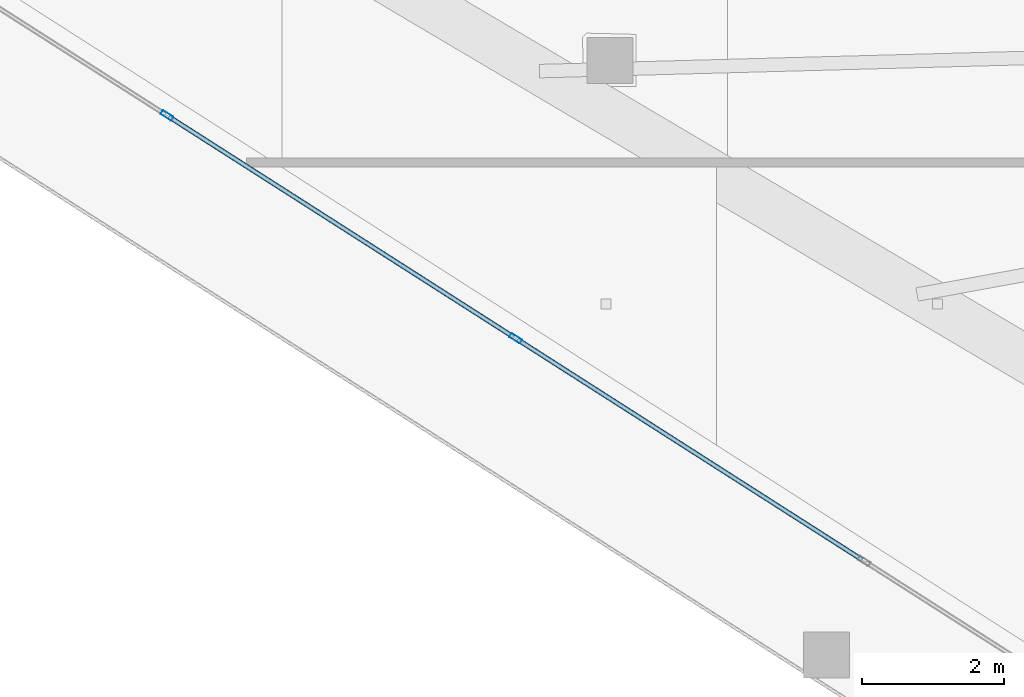
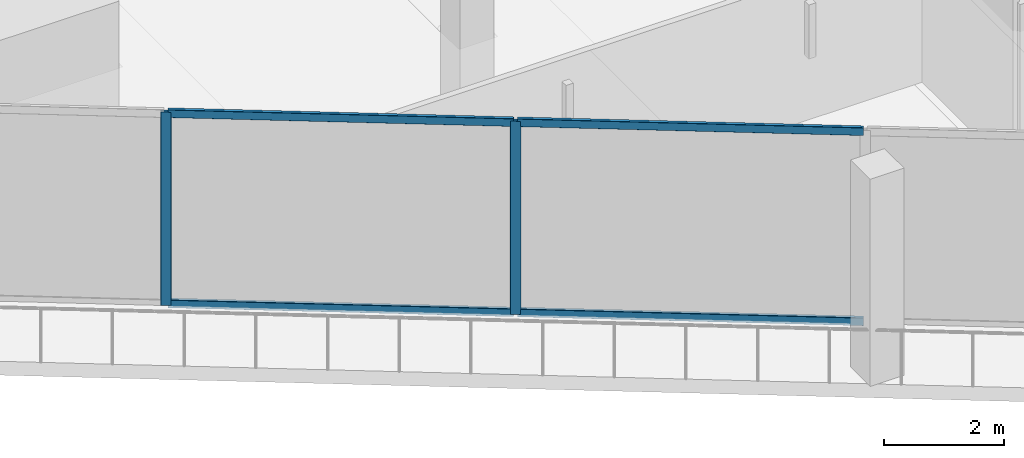
# One storey, part 3 of 45: 6 members, 1 element without a shape of its own.
"""IFC4 building model written with IfcOpenShell, lengths in metres."""

from ifc_helpers import new_model, si_unit, direction, frame, origin, origin_2d, place, context, subcontext, project, spatial, hollow_rectangle, extrude, material, layer, layer_set, material_profile, profile_set, type_object, element, aggregate, save


model = new_model("IFC4")

# Units and contexts
model_context = context("Model", 3, precision=1e-05, world=origin(), true_north=direction((0.0, 1.0)))
body_context = subcontext(model_context, "Body", "Model", "MODEL_VIEW")
ifc_project = project(units=[si_unit("LENGTHUNIT", "METRE"), si_unit("AREAUNIT", "SQUARE_METRE"), si_unit("VOLUMEUNIT", "CUBIC_METRE"), si_unit("PLANEANGLEUNIT", "RADIAN"), si_unit("MASSUNIT", "GRAM", prefix="KILO")], contexts=[model_context])

# Site, building, storey
site_placement = place(None, origin())
site = spatial("IfcSite", under=ifc_project, at=site_placement, CompositionType="ELEMENT")
building_placement = place(site_placement, origin())
building = spatial("IfcBuilding", under=site, at=building_placement, Name="Qorvath Tower", CompositionType="ELEMENT")
storey_placement = place(building_placement, frame((0.0, 0.0, 66.0)))
storey = spatial("IfcBuildingStorey", under=building, at=storey_placement, Name="L14", CompositionType="ELEMENT", Elevation=66.0)

# Curtain wall, members
ifc_material_1 = material(Name="Anodised aluminium and triple low-E glass", Category="aluminium")
ifc_layer = layer(ifc_material_1, 0.179931640625)
ifc_layer_set = layer_set([ifc_layer], Name="CW-SYS-2")
curtain_wall_type = type_object("IfcCurtainWallType", Name="CW-SYS-2", PredefinedType="NOTDEFINED", material=ifc_layer_set)
curtain_wall_placement = place(storey_placement, origin())
curtain_wall = element("IfcCurtainWall", 1, at=curtain_wall_placement, inside=storey, type_object=curtain_wall_type, Name="Curtain Wall CW-2 CW-T-L14-2.1", PredefinedType="NOTDEFINED")
ifc_material_2 = material(Name="Anodised aluminium 6063-T6", Category="aluminium")
ifc_material_profile_1 = material_profile(ifc_material_2, hollow_rectangle(XDim=0.06494140625, YDim=0.179931640625, WallThickness=0.00341796875, InnerFilletRadius=0.00341796875, OuterFilletRadius=0.007080078125, at=origin_2d()), Name="CWM 180x65")
ifc_profile_set_1 = profile_set([ifc_material_profile_1], Name="Anodised aluminium 6063-T6")
member_type_1 = type_object("IfcMemberType", Name="CWM-180", PredefinedType="MULLION", material=ifc_profile_set_1)
member_1_placement = place(storey_placement, frame((-54.800048828125, -7.196533203125, 0.0), z_axis=(0.0, 0.0, 1.0), x_axis=(0.538530641183, 0.842605927173, 0.0)))
member_1 = element("IfcMember", 2, at=member_1_placement, type_object=member_type_1, Name="CW-2 mullion 2", PredefinedType="MULLION", context=body_context, shape_type="SweptSolid", body=[
    extrude(hollow_rectangle(XDim=0.06494140625, YDim=0.179931640625, WallThickness=0.00341796875, InnerFilletRadius=0.00341796875, OuterFilletRadius=0.007080078125, at=origin_2d()), origin(), (0.0, 0.0, 1.0), 3.919921875),
])
member_2_placement = place(storey_placement, frame((-49.9033203125, -10.326416015625, 0.0), z_axis=(0.0, 0.0, 1.0), x_axis=(0.538530641183, 0.842605927173, 0.0)))
member_2 = element("IfcMember", 3, at=member_2_placement, type_object=member_type_1, Name="CW-2 mullion 3", PredefinedType="MULLION", context=body_context, shape_type="SweptSolid", body=[
    extrude(hollow_rectangle(XDim=0.06494140625, YDim=0.179931640625, WallThickness=0.00341796875, InnerFilletRadius=0.00341796875, OuterFilletRadius=0.007080078125, at=origin_2d()), origin(), (0.0, 0.0, 1.0), 3.919921875),
])
ifc_material_3 = material(Name="Anodised aluminium 6063-T6", Category="aluminium")
ifc_material_profile_2 = material_profile(ifc_material_3, hollow_rectangle(XDim=0.06494140625, YDim=0.159912109375, WallThickness=0.00341796875, InnerFilletRadius=0.00341796875, OuterFilletRadius=0.007080078125, at=origin_2d()), Name="CWT 160x65")
ifc_profile_set_2 = profile_set([ifc_material_profile_2], Name="Anodised aluminium 6063-T6")
member_type_2 = type_object("IfcMemberType", Name="CWT-160", PredefinedType="USERDEFINED", material=ifc_profile_set_2)
member_3_placement = place(storey_placement, frame((-54.772705078125, -7.214111328125, 0.032470703125), z_axis=(0.842601476504, -0.538537604809, 0.0), x_axis=(0.538537604809, 0.842601476504, 0.0)))
member_3 = element("IfcMember", 4, at=member_3_placement, type_object=member_type_2, Name="CW-2 transom 2.1", ObjectType="TRANSOM", PredefinedType="USERDEFINED", context=body_context, shape_type="SweptSolid", body=[
    extrude(hollow_rectangle(XDim=0.06494140625, YDim=0.159912109375, WallThickness=0.00341796875, InnerFilletRadius=0.00341796875, OuterFilletRadius=0.007080078125, at=origin_2d()), origin(), (0.0, 0.0, 1.0), 5.74658203125),
])
member_4_placement = place(storey_placement, frame((-54.772705078125, -7.214111328125, 3.887451171875), z_axis=(0.842601476504, -0.538537604809, 0.0), x_axis=(0.538537604809, 0.842601476504, 0.0)))
member_4 = element("IfcMember", 5, at=member_4_placement, type_object=member_type_2, Name="CW-2 transom 2.2", ObjectType="TRANSOM", PredefinedType="USERDEFINED", context=body_context, shape_type="SweptSolid", body=[
    extrude(hollow_rectangle(XDim=0.06494140625, YDim=0.159912109375, WallThickness=0.00341796875, InnerFilletRadius=0.00341796875, OuterFilletRadius=0.007080078125, at=origin_2d()), origin(), (0.0, 0.0, 1.0), 5.74658203125),
])
member_5_placement = place(storey_placement, frame((-49.8759765625, -10.34375, 0.032470703125), z_axis=(0.842601476504, -0.538537604809, 0.0), x_axis=(0.538537604809, 0.842601476504, 0.0)))
member_5 = element("IfcMember", 6, at=member_5_placement, type_object=member_type_2, Name="CW-2 transom 3.1", ObjectType="TRANSOM", PredefinedType="USERDEFINED", context=body_context, shape_type="SweptSolid", body=[
    extrude(hollow_rectangle(XDim=0.06494140625, YDim=0.159912109375, WallThickness=0.00341796875, InnerFilletRadius=0.00341796875, OuterFilletRadius=0.007080078125, at=origin_2d()), origin(), (0.0, 0.0, 1.0), 5.74658203125),
])
member_6_placement = place(storey_placement, frame((-49.8759765625, -10.34375, 3.887451171875), z_axis=(0.842601476504, -0.538537604809, 0.0), x_axis=(0.538537604809, 0.842601476504, 0.0)))
member_6 = element("IfcMember", 7, at=member_6_placement, type_object=member_type_2, Name="CW-2 transom 3.2", ObjectType="TRANSOM", PredefinedType="USERDEFINED", context=body_context, shape_type="SweptSolid", body=[
    extrude(hollow_rectangle(XDim=0.06494140625, YDim=0.159912109375, WallThickness=0.00341796875, InnerFilletRadius=0.00341796875, OuterFilletRadius=0.007080078125, at=origin_2d()), origin(), (0.0, 0.0, 1.0), 5.74658203125),
])
aggregate(curtain_wall, [member_1, member_2, member_3, member_4, member_5, member_6])

save(model, "model.ifc")
